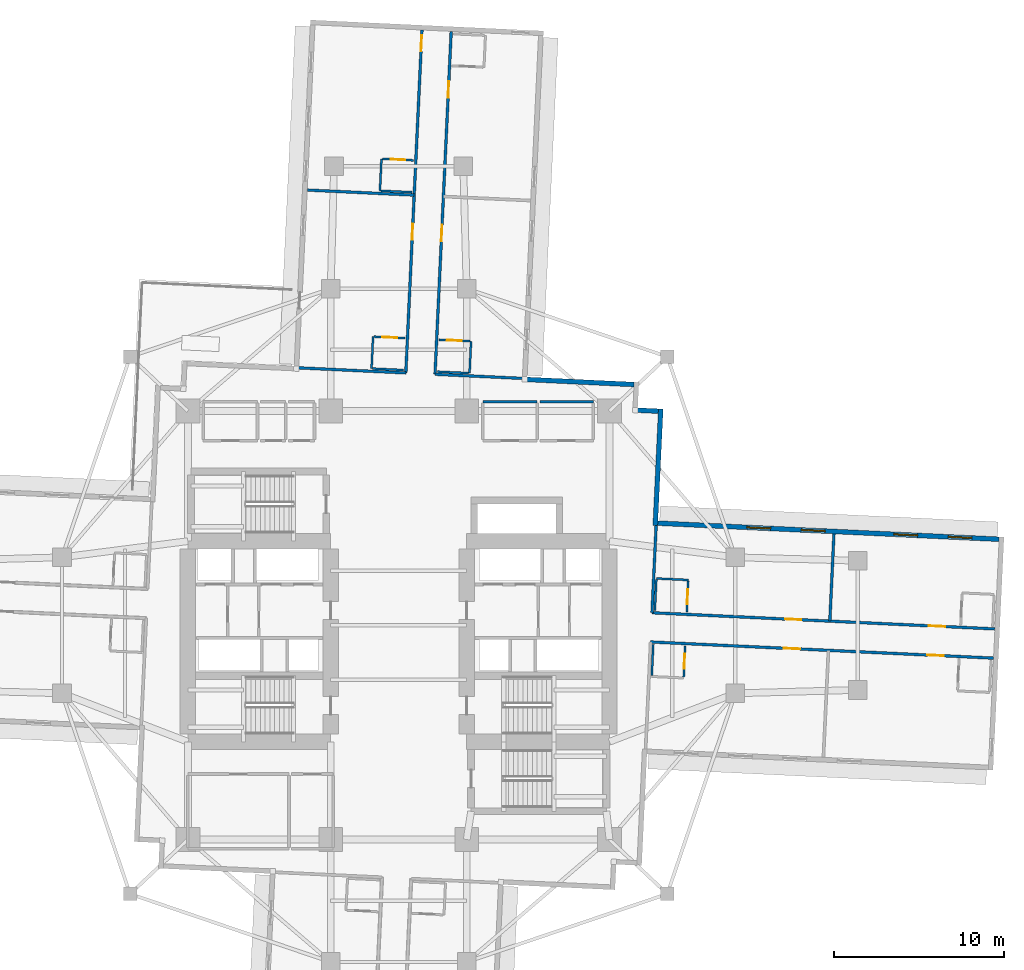
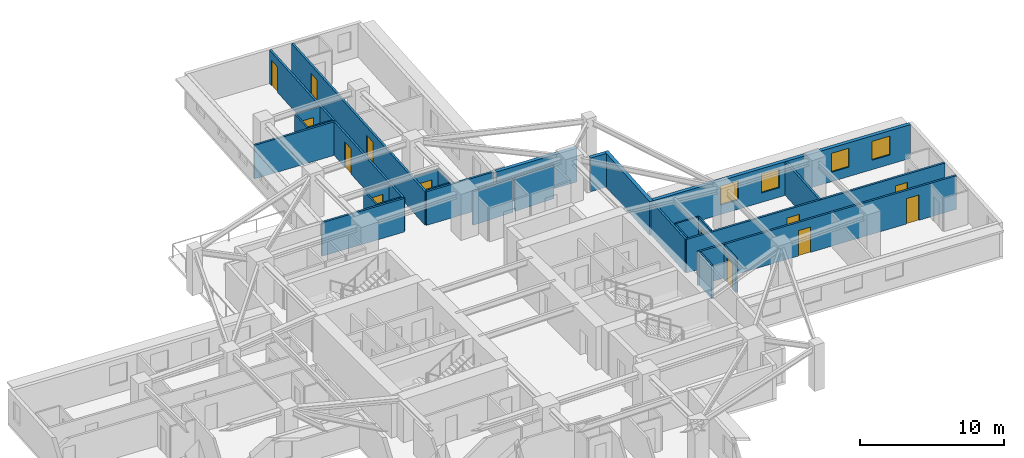
# One storey, part 7 of 13: 29 walls, 13 doors, 4 windows, 17 openings.
"""IFC4 building model written with IfcOpenShell, lengths in metres."""

from ifc_helpers import new_model, si_unit, direction, frame, frame_2d, origin, place, context, subcontext, project, spatial, rectangle, extrude, material, layer, layer_set, type_object, element, fill, save


model = new_model("IFC4")

# Units and contexts
model_context = context("Model", 3, precision=1e-05, world=origin(), true_north=direction((0.0, 1.0)))
body_context = subcontext(model_context, "Body", "Model", "MODEL_VIEW")
ifc_project = project(units=[si_unit("LENGTHUNIT", "METRE"), si_unit("AREAUNIT", "SQUARE_METRE"), si_unit("VOLUMEUNIT", "CUBIC_METRE"), si_unit("PLANEANGLEUNIT", "RADIAN"), si_unit("MASSUNIT", "GRAM", prefix="KILO")], contexts=[model_context])

# Site, building, storey
site_placement = place(None, origin())
site = spatial("IfcSite", under=ifc_project, at=site_placement, CompositionType="ELEMENT")
building_placement = place(site_placement, origin())
building = spatial("IfcBuilding", under=site, at=building_placement, Name="Qingluan Cross Belvedere", CompositionType="ELEMENT")
storey_placement = place(building_placement, frame((0.0, 0.0, 91.199951171875)))
storey = spatial("IfcBuildingStorey", under=building, at=storey_placement, Name="L23", CompositionType="ELEMENT", Elevation=91.199951171875)

# Walls
ifc_material_1 = material(Name="Gypsum plasterboard on steel stud acoustic partition", Category="steel")
ifc_layer_1 = layer(ifc_material_1, 0.159912109375, Name="CorridorPartition_160")
ifc_layer_set_1 = layer_set([ifc_layer_1], Name="Gypsum plasterboard on steel stud acoustic partition")
wall_type_1 = type_object("IfcWallType", Name="CorridorPartition_160", PredefinedType="PARTITIONING", material=ifc_layer_set_1)
wall_1_placement = place(storey_placement, frame((4.949951171875, 13.14990234375, 0.0), z_axis=(0.0, 0.0, 1.0), x_axis=(1.0, 0.0, 0.0)))
element("IfcWall", 1, at=wall_1_placement, inside=storey, type_object=wall_type_1, Name="Partition L23:q_ne1:N", PredefinedType="PARTITIONING", context=body_context, shape_type="SweptSolid", body=[
    extrude(rectangle(XDim=3.199951171875, YDim=0.159912109375, at=frame_2d((1.60009765625, 0.0))), origin(), (0.0, 0.0, 1.0), 2.85009765625),
])
wall_2_placement = place(storey_placement, frame((8.31005859375, 13.14990234375, 0.0), z_axis=(0.0, 0.0, 1.0), x_axis=(1.0, 0.0, 0.0)))
element("IfcWall", 2, at=wall_2_placement, inside=storey, type_object=wall_type_1, Name="Partition L23:q_ne2:N", PredefinedType="PARTITIONING", context=body_context, shape_type="SweptSolid", body=[
    extrude(rectangle(XDim=3.139892578125, YDim=0.159912109375, at=frame_2d((1.56982421875, 0.0))), origin(), (0.0, 0.0, 1.0), 2.85009765625),
])

# Wall, openings, doors
wall_3_placement = place(storey_placement, frame((14.9013671875, 0.739013671875, 0.0), z_axis=(0.0, 0.0, 1.0), x_axis=(0.998889330628, -0.047117991871, 0.0)))
wall_3 = element("IfcWall", 3, at=wall_3_placement, inside=storey, type_object=wall_type_1, Name="Partition L23:E:c0", PredefinedType="PARTITIONING", context=body_context, shape_type="SweptSolid", body=[
    extrude(rectangle(XDim=20.181884765625, YDim=0.159912109375, at=frame_2d((10.0908203125, 0.0))), origin(), (0.0, 0.0, 1.0), 2.85009765625),
])
opening_1_placement = place(wall_3_placement, frame((7.8359375, 0.0, 0.0)))
opening_1 = element("IfcOpeningElement", 4, at=opening_1_placement, cuts=wall_3, Name="Opening GD-10", PredefinedType="OPENING", context=body_context, shape_type="SweptSolid", body=[
    extrude(rectangle(XDim=0.9599609375, YDim=2.14990234375, at=frame_2d((0.47998046875, 1.074951171875))), frame((0.0, 0.08984375, 0.0), z_axis=(0.0, -1.0, 0.0), x_axis=(1.0, 0.0, 0.0)), (0.0, 0.0, 1.0), 0.179931640625),
])
opening_2_placement = place(wall_3_placement, frame((16.2958984375, 0.0, 0.0)))
opening_2 = element("IfcOpeningElement", 5, at=opening_2_placement, cuts=wall_3, Name="Opening GD-10", PredefinedType="OPENING", context=body_context, shape_type="SweptSolid", body=[
    extrude(rectangle(XDim=0.9599609375, YDim=2.14990234375, at=frame_2d((0.47998046875, 1.074951171875))), frame((0.0, 0.08984375, 0.0), z_axis=(0.0, -1.0, 0.0), x_axis=(1.0, 0.0, 0.0)), (0.0, 0.0, 1.0), 0.179931640625),
])
ifc_material_2 = material(Name="Timber oak fire-rated acoustic guestroom door", Category="wood")
door_type_1 = type_object("IfcDoorType", Name="GuestEntryDoor_FD60", OperationType="NOTDEFINED", PredefinedType="DOOR", material=ifc_material_2)
door_1_placement = place(opening_1_placement, origin())
door_1 = element("IfcDoor", 6, at=door_1_placement, inside=storey, type_object=door_type_1, Name="Guest entry fire door 2301", OperationType="SINGLE_SWING_LEFT", OverallHeight=2.14990234375, OverallWidth=0.9599609375, PredefinedType="DOOR", context=body_context, shape_type="SweptSolid", body=[
    extrude(rectangle(XDim=0.9599609375, YDim=2.14990234375, at=frame_2d((0.47998046875, 1.074951171875))), frame((0.0, 0.02490234375, 0.0), z_axis=(0.0, -1.0, 0.0), x_axis=(1.0, 0.0, 0.0)), (0.0, 0.0, 1.0), 0.050048828125),
])
fill(opening_1, door_1)
door_2_placement = place(opening_2_placement, origin())
door_2 = element("IfcDoor", 7, at=door_2_placement, inside=storey, type_object=door_type_1, Name="Guest entry fire door 2302", OperationType="SINGLE_SWING_LEFT", OverallHeight=2.14990234375, OverallWidth=0.9599609375, PredefinedType="DOOR", context=body_context, shape_type="SweptSolid", body=[
    extrude(rectangle(XDim=0.9599609375, YDim=2.14990234375, at=frame_2d((0.47998046875, 1.074951171875))), frame((0.0, 0.02490234375, 0.0), z_axis=(0.0, -1.0, 0.0), x_axis=(1.0, 0.0, 0.0)), (0.0, 0.0, 1.0), 0.050048828125),
])
fill(opening_2, door_2)

# Walls
wall_4_placement = place(storey_placement, frame((14.9013671875, 0.739013671875, 0.0), z_axis=(0.0, 0.0, 1.0), x_axis=(0.047097271264, 0.998890307811, 0.0)))
element("IfcWall", 8, at=wall_4_placement, inside=storey, type_object=wall_type_1, Name="Partition L23:E:s0", PredefinedType="PARTITIONING", context=body_context, shape_type="SweptSolid", body=[
    extrude(rectangle(XDim=5.1318359375, YDim=0.159912109375, at=frame_2d((2.56591796875, 0.0))), origin(), (0.0, 0.0, 1.0), 2.85009765625),
])
wall_5_placement = place(storey_placement, frame((25.359619140625, 0.24560546875, 0.0), z_axis=(0.0, 0.0, 1.0), x_axis=(0.047095033298, 0.998890413328, 0.0)))
element("IfcWall", 9, at=wall_5_placement, inside=storey, type_object=wall_type_1, Name="Partition L23:E:d0_0", PredefinedType="PARTITIONING", context=body_context, shape_type="SweptSolid", body=[
    extrude(rectangle(XDim=5.132080078125, YDim=0.159912109375, at=frame_2d((2.56591796875, 0.0))), origin(), (0.0, 0.0, 1.0), 2.85009765625),
])

# Wall, openings, doors
wall_6_placement = place(storey_placement, frame((14.8203125, -0.979248046875, 0.0), z_axis=(0.0, 0.0, 1.0), x_axis=(0.998889926753, -0.047105352469, 0.0)))
wall_6 = element("IfcWall", 10, at=wall_6_placement, inside=storey, type_object=wall_type_1, Name="Partition L23:E:c1", PredefinedType="PARTITIONING", context=body_context, shape_type="SweptSolid", body=[
    extrude(rectangle(XDim=20.18212890625, YDim=0.159912109375, at=frame_2d((10.091064453125, 0.0))), origin(), (0.0, 0.0, 1.0), 2.85009765625),
])
opening_3_placement = place(wall_6_placement, frame((7.8359375, 0.0, 0.0)))
opening_3 = element("IfcOpeningElement", 11, at=opening_3_placement, cuts=wall_6, Name="Opening GD-10", PredefinedType="OPENING", context=body_context, shape_type="SweptSolid", body=[
    extrude(rectangle(XDim=0.9599609375, YDim=2.14990234375, at=frame_2d((0.47998046875, 1.074951171875))), frame((0.0, 0.08984375, 0.0), z_axis=(0.0, -1.0, 0.0), x_axis=(1.0, 0.0, 0.0)), (0.0, 0.0, 1.0), 0.179931640625),
])
opening_4_placement = place(wall_6_placement, frame((16.2958984375, 0.0, 0.0)))
opening_4 = element("IfcOpeningElement", 12, at=opening_4_placement, cuts=wall_6, Name="Opening GD-10", PredefinedType="OPENING", context=body_context, shape_type="SweptSolid", body=[
    extrude(rectangle(XDim=0.9599609375, YDim=2.14990234375, at=frame_2d((0.47998046875, 1.074951171875))), frame((0.0, 0.08984375, 0.0), z_axis=(0.0, -1.0, 0.0), x_axis=(1.0, 0.0, 0.0)), (0.0, 0.0, 1.0), 0.179931640625),
])
door_3_placement = place(opening_3_placement, origin())
door_3 = element("IfcDoor", 13, at=door_3_placement, inside=storey, type_object=door_type_1, Name="Guest entry fire door 2303", OperationType="SINGLE_SWING_LEFT", OverallHeight=2.14990234375, OverallWidth=0.9599609375, PredefinedType="DOOR", context=body_context, shape_type="SweptSolid", body=[
    extrude(rectangle(XDim=0.9599609375, YDim=2.14990234375, at=frame_2d((0.47998046875, 1.074951171875))), frame((0.0, 0.02490234375, 0.0), z_axis=(0.0, -1.0, 0.0), x_axis=(1.0, 0.0, 0.0)), (0.0, 0.0, 1.0), 0.050048828125),
])
fill(opening_3, door_3)
door_4_placement = place(opening_4_placement, origin())
door_4 = element("IfcDoor", 14, at=door_4_placement, inside=storey, type_object=door_type_1, Name="Guest entry fire door 2304", OperationType="SINGLE_SWING_LEFT", OverallHeight=2.14990234375, OverallWidth=0.9599609375, PredefinedType="DOOR", context=body_context, shape_type="SweptSolid", body=[
    extrude(rectangle(XDim=0.9599609375, YDim=2.14990234375, at=frame_2d((0.47998046875, 1.074951171875))), frame((0.0, 0.02490234375, 0.0), z_axis=(0.0, -1.0, 0.0), x_axis=(1.0, 0.0, 0.0)), (0.0, 0.0, 1.0), 0.050048828125),
])
fill(opening_4, door_4)

wall_7_placement = place(storey_placement, frame((2.137939453125, 14.765625, 0.0), z_axis=(0.0, 0.0, 1.0), x_axis=(0.047105352469, 0.998889926753, 0.0)))
wall_7 = element("IfcWall", 15, at=wall_7_placement, inside=storey, type_object=wall_type_1, Name="Partition L23:N:c0", PredefinedType="PARTITIONING", context=body_context, shape_type="SweptSolid", body=[
    extrude(rectangle(XDim=20.18212890625, YDim=0.159912109375, at=frame_2d((10.091064453125, 0.0))), origin(), (0.0, 0.0, 1.0), 2.85009765625),
])
opening_5_placement = place(wall_7_placement, frame((7.8359375, 0.0, 0.0)))
opening_5 = element("IfcOpeningElement", 16, at=opening_5_placement, cuts=wall_7, Name="Opening GD-10", PredefinedType="OPENING", context=body_context, shape_type="SweptSolid", body=[
    extrude(rectangle(XDim=0.9599609375, YDim=2.14990234375, at=frame_2d((0.47998046875, 1.074951171875))), frame((0.0, 0.08984375, 0.0), z_axis=(0.0, -1.0, 0.0), x_axis=(1.0, 0.0, 0.0)), (0.0, 0.0, 1.0), 0.179931640625),
])
opening_6_placement = place(wall_7_placement, frame((16.2958984375, 0.0, 0.0)))
opening_6 = element("IfcOpeningElement", 17, at=opening_6_placement, cuts=wall_7, Name="Opening GD-10", PredefinedType="OPENING", context=body_context, shape_type="SweptSolid", body=[
    extrude(rectangle(XDim=0.9599609375, YDim=2.14990234375, at=frame_2d((0.47998046875, 1.074951171875))), frame((0.0, 0.08984375, 0.0), z_axis=(0.0, -1.0, 0.0), x_axis=(1.0, 0.0, 0.0)), (0.0, 0.0, 1.0), 0.179931640625),
])
door_5_placement = place(opening_5_placement, origin())
door_5 = element("IfcDoor", 18, at=door_5_placement, inside=storey, type_object=door_type_1, Name="Guest entry fire door 2309", OperationType="SINGLE_SWING_LEFT", OverallHeight=2.14990234375, OverallWidth=0.9599609375, PredefinedType="DOOR", context=body_context, shape_type="SweptSolid", body=[
    extrude(rectangle(XDim=0.9599609375, YDim=2.14990234375, at=frame_2d((0.47998046875, 1.074951171875))), frame((0.0, 0.02490234375, 0.0), z_axis=(0.0, -1.0, 0.0), x_axis=(1.0, 0.0, 0.0)), (0.0, 0.0, 1.0), 0.050048828125),
])
fill(opening_5, door_5)
door_6_placement = place(opening_6_placement, origin())
door_6 = element("IfcDoor", 19, at=door_6_placement, inside=storey, type_object=door_type_1, Name="Guest entry fire door 2310", OperationType="SINGLE_SWING_LEFT", OverallHeight=2.14990234375, OverallWidth=0.9599609375, PredefinedType="DOOR", context=body_context, shape_type="SweptSolid", body=[
    extrude(rectangle(XDim=0.9599609375, YDim=2.14990234375, at=frame_2d((0.47998046875, 1.074951171875))), frame((0.0, 0.02490234375, 0.0), z_axis=(0.0, -1.0, 0.0), x_axis=(1.0, 0.0, 0.0)), (0.0, 0.0, 1.0), 0.050048828125),
])
fill(opening_6, door_6)

# Wall
wall_8_placement = place(storey_placement, frame((2.137939453125, 14.765625, 0.0), z_axis=(0.0, 0.0, 1.0), x_axis=(0.998891553151, -0.047070851322, 0.0)))
element("IfcWall", 20, at=wall_8_placement, inside=storey, type_object=wall_type_1, Name="Partition L23:N:s0", PredefinedType="PARTITIONING", context=body_context, shape_type="SweptSolid", body=[
    extrude(rectangle(XDim=5.280029296875, YDim=0.159912109375, at=frame_2d((2.64013671875, 0.0))), origin(), (0.0, 0.0, 1.0), 2.85009765625),
])

# Wall, openings, doors
wall_9_placement = place(storey_placement, frame((0.419921875, 14.8466796875, 0.0), z_axis=(0.0, 0.0, 1.0), x_axis=(0.047105352469, 0.998889926753, 0.0)))
wall_9 = element("IfcWall", 21, at=wall_9_placement, inside=storey, type_object=wall_type_1, Name="Partition L23:N:c1", PredefinedType="PARTITIONING", context=body_context, shape_type="SweptSolid", body=[
    extrude(rectangle(XDim=20.18212890625, YDim=0.159912109375, at=frame_2d((10.091064453125, 0.0))), origin(), (0.0, 0.0, 1.0), 2.85009765625),
])
opening_7_placement = place(wall_9_placement, frame((7.8359375, 0.0, 0.0)))
opening_7 = element("IfcOpeningElement", 22, at=opening_7_placement, cuts=wall_9, Name="Opening GD-10", PredefinedType="OPENING", context=body_context, shape_type="SweptSolid", body=[
    extrude(rectangle(XDim=0.9599609375, YDim=2.14990234375, at=frame_2d((0.47998046875, 1.074951171875))), frame((0.0, 0.08984375, 0.0), z_axis=(0.0, -1.0, 0.0), x_axis=(1.0, 0.0, 0.0)), (0.0, 0.0, 1.0), 0.179931640625),
])
opening_8_placement = place(wall_9_placement, frame((18.929931640625, 0.0, 0.0)))
opening_8 = element("IfcOpeningElement", 23, at=opening_8_placement, cuts=wall_9, Name="Opening GD-10", PredefinedType="OPENING", context=body_context, shape_type="SweptSolid", body=[
    extrude(rectangle(XDim=0.9599609375, YDim=2.14990234375, at=frame_2d((0.47998046875, 1.074951171875))), frame((0.0, 0.08984375, 0.0), z_axis=(0.0, -1.0, 0.0), x_axis=(1.0, 0.0, 0.0)), (0.0, 0.0, 1.0), 0.179931640625),
])
door_7_placement = place(opening_7_placement, origin())
door_7 = element("IfcDoor", 24, at=door_7_placement, inside=storey, type_object=door_type_1, Name="Guest entry fire door 2311", OperationType="SINGLE_SWING_LEFT", OverallHeight=2.14990234375, OverallWidth=0.9599609375, PredefinedType="DOOR", context=body_context, shape_type="SweptSolid", body=[
    extrude(rectangle(XDim=0.9599609375, YDim=2.14990234375, at=frame_2d((0.47998046875, 1.074951171875))), frame((0.0, 0.02490234375, 0.0), z_axis=(0.0, -1.0, 0.0), x_axis=(1.0, 0.0, 0.0)), (0.0, 0.0, 1.0), 0.050048828125),
])
fill(opening_7, door_7)
door_8_placement = place(opening_8_placement, origin())
door_8 = element("IfcDoor", 25, at=door_8_placement, inside=storey, type_object=door_type_1, Name="Guest entry fire door 2312", OperationType="SINGLE_SWING_LEFT", OverallHeight=2.14990234375, OverallWidth=0.9599609375, PredefinedType="DOOR", context=body_context, shape_type="SweptSolid", body=[
    extrude(rectangle(XDim=0.9599609375, YDim=2.14990234375, at=frame_2d((0.47998046875, 1.074951171875))), frame((0.0, 0.02490234375, 0.0), z_axis=(0.0, -1.0, 0.0), x_axis=(1.0, 0.0, 0.0)), (0.0, 0.0, 1.0), 0.050048828125),
])
fill(opening_8, door_8)

# Walls
wall_10_placement = place(storey_placement, frame((0.419921875, 14.8466796875, 0.0), z_axis=(0.0, 0.0, 1.0), x_axis=(-0.998889138652, 0.047122061533, 0.0)))
element("IfcWall", 26, at=wall_10_placement, inside=storey, type_object=wall_type_1, Name="Partition L23:N:s1", PredefinedType="PARTITIONING", context=body_context, shape_type="SweptSolid", body=[
    extrude(rectangle(XDim=6.43994140625, YDim=0.159912109375, at=frame_2d((3.219970703125, 0.0))), origin(), (0.0, 0.0, 1.0), 2.85009765625),
])
wall_11_placement = place(storey_placement, frame((0.9130859375, 25.30517578125, 0.0), z_axis=(0.0, 0.0, 1.0), x_axis=(-0.998891802517, 0.047065559216, 0.0)))
element("IfcWall", 27, at=wall_11_placement, inside=storey, type_object=wall_type_1, Name="Partition L23:N:d1_0", PredefinedType="PARTITIONING", context=body_context, shape_type="SweptSolid", body=[
    extrude(rectangle(XDim=6.292236328125, YDim=0.159912109375, at=frame_2d((3.14599609375, 0.0))), origin(), (0.0, 0.0, 1.0), 2.85009765625),
])

# Wall, opening, door
ifc_material_3 = material(Name="Moisture-resistant gypsum board lining")
ifc_layer_2 = layer(ifc_material_3, 0.1201171875, Name="EnsuiteWetPartition_120")
ifc_layer_set_2 = layer_set([ifc_layer_2], Name="Moisture-resistant gypsum board lining")
wall_type_2 = type_object("IfcWallType", Name="EnsuiteWetPartition_120", PredefinedType="PARTITIONING", material=ifc_layer_set_2)
wall_12_placement = place(storey_placement, frame((16.94580078125, 0.78271484375, 0.0), z_axis=(0.0, 0.0, 1.0), x_axis=(0.047087116047, 0.998890786574, 0.0)))
wall_12 = element("IfcWall", 28, at=wall_12_placement, inside=storey, type_object=wall_type_2, Name="Partition L23:E:bs0_0", PredefinedType="PARTITIONING", context=body_context, shape_type="SweptSolid", body=[
    extrude(rectangle(XDim=1.81982421875, YDim=0.1201171875, at=frame_2d((0.909912109375, 0.0))), origin(), (0.0, 0.0, 1.0), 2.85009765625),
])
opening_9_placement = place(wall_12_placement, frame((0.469970703125, 0.0, 0.0)))
opening_9 = element("IfcOpeningElement", 29, at=opening_9_placement, cuts=wall_12, Name="Opening BD-09", PredefinedType="OPENING", context=body_context, shape_type="SweptSolid", body=[
    extrude(rectangle(XDim=0.8798828125, YDim=2.10009765625, at=frame_2d((0.43994140625, 1.050048828125))), frame((0.0, 0.070068359375, 0.0), z_axis=(0.0, -1.0, 0.0), x_axis=(1.0, 0.0, 0.0)), (0.0, 0.0, 1.0), 0.14013671875),
])
ifc_material_4 = material(Name="Moisture-sealed timber en-suite door", Category="wood")
door_type_2 = type_object("IfcDoorType", Name="BathroomDoor_880", OperationType="NOTDEFINED", PredefinedType="DOOR", material=ifc_material_4)
door_9_placement = place(opening_9_placement, origin())
door_9 = element("IfcDoor", 30, at=door_9_placement, inside=storey, type_object=door_type_2, Name="Bathroom door 2301", OperationType="SINGLE_SWING_RIGHT", OverallHeight=2.10009765625, OverallWidth=0.8798828125, PredefinedType="DOOR", context=body_context, shape_type="SweptSolid", body=[
    extrude(rectangle(XDim=0.8798828125, YDim=2.10009765625, at=frame_2d((0.43994140625, 1.050048828125))), frame((0.0, 0.02490234375, 0.0), z_axis=(0.0, -1.0, 0.0), x_axis=(1.0, 0.0, 0.0)), (0.0, 0.0, 1.0), 0.050048828125),
])
fill(opening_9, door_9)

# Walls
wall_13_placement = place(storey_placement, frame((15.06787109375, 0.87109375, 0.0), z_axis=(0.0, 0.0, 1.0), x_axis=(0.047080807099, 0.998891083954, 0.0)))
element("IfcWall", 31, at=wall_13_placement, inside=storey, type_object=wall_type_2, Name="Partition L23:E:bw0_0", PredefinedType="PARTITIONING", context=body_context, shape_type="SweptSolid", body=[
    extrude(rectangle(XDim=1.820068359375, YDim=0.1201171875, at=frame_2d((0.91015625, 0.0))), origin(), (0.0, 0.0, 1.0), 2.85009765625),
])
wall_14_placement = place(storey_placement, frame((15.156494140625, 2.754150390625, 0.0), z_axis=(0.0, 0.0, 1.0), x_axis=(0.998888319371, -0.047139425368, 0.0)))
element("IfcWall", 32, at=wall_14_placement, inside=storey, type_object=wall_type_2, Name="Partition L23:E:bn0_0", PredefinedType="PARTITIONING", context=body_context, shape_type="SweptSolid", body=[
    extrude(rectangle(XDim=1.880126953125, YDim=0.1201171875, at=frame_2d((0.93994140625, 0.0))), origin(), (0.0, 0.0, 1.0), 2.85009765625),
])

# Wall, opening, door
wall_15_placement = place(storey_placement, frame((16.765625, -3.033203125, 0.0), z_axis=(0.0, 0.0, 1.0), x_axis=(0.047214641863, 0.998884766924, 0.0)))
wall_15 = element("IfcWall", 33, at=wall_15_placement, inside=storey, type_object=wall_type_2, Name="Partition L23:E:bs1_0", PredefinedType="PARTITIONING", context=body_context, shape_type="SweptSolid", body=[
    extrude(rectangle(XDim=1.820068359375, YDim=0.1201171875, at=frame_2d((0.91015625, 0.0))), origin(), (0.0, 0.0, 1.0), 2.85009765625),
])
opening_10_placement = place(wall_15_placement, frame((0.469970703125, 0.0, 0.0)))
opening_10 = element("IfcOpeningElement", 34, at=opening_10_placement, cuts=wall_15, Name="Opening BD-09", PredefinedType="OPENING", context=body_context, shape_type="SweptSolid", body=[
    extrude(rectangle(XDim=0.8798828125, YDim=2.10009765625, at=frame_2d((0.43994140625, 1.050048828125))), frame((0.0, 0.070068359375, 0.0), z_axis=(0.0, -1.0, 0.0), x_axis=(1.0, 0.0, 0.0)), (0.0, 0.0, 1.0), 0.14013671875),
])
door_10_placement = place(opening_10_placement, origin())
door_10 = element("IfcDoor", 35, at=door_10_placement, inside=storey, type_object=door_type_2, Name="Bathroom door 2303", OperationType="SINGLE_SWING_RIGHT", OverallHeight=2.10009765625, OverallWidth=0.8798828125, PredefinedType="DOOR", context=body_context, shape_type="SweptSolid", body=[
    extrude(rectangle(XDim=0.8798828125, YDim=2.10009765625, at=frame_2d((0.43994140625, 1.050048828125))), frame((0.0, 0.02490234375, 0.0), z_axis=(0.0, -1.0, 0.0), x_axis=(1.0, 0.0, 0.0)), (0.0, 0.0, 1.0), 0.050048828125),
])
fill(opening_10, door_10)

# Wall
wall_16_placement = place(storey_placement, frame((14.8876953125, -2.944580078125, 0.0), z_axis=(0.0, 0.0, 1.0), x_axis=(0.047220968666, 0.998884467853, 0.0)))
element("IfcWall", 36, at=wall_16_placement, inside=storey, type_object=wall_type_2, Name="Partition L23:E:bw1_0", PredefinedType="PARTITIONING", context=body_context, shape_type="SweptSolid", body=[
    extrude(rectangle(XDim=1.81982421875, YDim=0.1201171875, at=frame_2d((0.909912109375, 0.0))), origin(), (0.0, 0.0, 1.0), 2.85009765625),
])

# Wall, opening, door
wall_17_placement = place(storey_placement, frame((2.373779296875, 16.796875, 0.0), z_axis=(0.0, 0.0, 1.0), x_axis=(0.998891083954, -0.047080807099, 0.0)))
wall_17 = element("IfcWall", 37, at=wall_17_placement, inside=storey, type_object=wall_type_2, Name="Partition L23:N:bs0_0", PredefinedType="PARTITIONING", context=body_context, shape_type="SweptSolid", body=[
    extrude(rectangle(XDim=1.820068359375, YDim=0.1201171875, at=frame_2d((0.91015625, 0.0))), origin(), (0.0, 0.0, 1.0), 2.85009765625),
])
opening_11_placement = place(wall_17_placement, frame((0.469970703125, 0.0, 0.0)))
opening_11 = element("IfcOpeningElement", 38, at=opening_11_placement, cuts=wall_17, Name="Opening BD-09", PredefinedType="OPENING", context=body_context, shape_type="SweptSolid", body=[
    extrude(rectangle(XDim=0.8798828125, YDim=2.10009765625, at=frame_2d((0.43994140625, 1.050048828125))), frame((0.0, 0.070068359375, 0.0), z_axis=(0.0, -1.0, 0.0), x_axis=(1.0, 0.0, 0.0)), (0.0, 0.0, 1.0), 0.14013671875),
])
door_11_placement = place(opening_11_placement, origin())
door_11 = element("IfcDoor", 39, at=door_11_placement, inside=storey, type_object=door_type_2, Name="Bathroom door 2309", OperationType="SINGLE_SWING_RIGHT", OverallHeight=2.10009765625, OverallWidth=0.8798828125, PredefinedType="DOOR", context=body_context, shape_type="SweptSolid", body=[
    extrude(rectangle(XDim=0.8798828125, YDim=2.10009765625, at=frame_2d((0.43994140625, 1.050048828125))), frame((0.0, 0.02490234375, 0.0), z_axis=(0.0, -1.0, 0.0), x_axis=(1.0, 0.0, 0.0)), (0.0, 0.0, 1.0), 0.050048828125),
])
fill(opening_11, door_11)

# Walls
wall_18_placement = place(storey_placement, frame((2.285400390625, 14.9189453125, 0.0), z_axis=(0.0, 0.0, 1.0), x_axis=(0.998890786574, -0.047087116047, 0.0)))
element("IfcWall", 40, at=wall_18_placement, inside=storey, type_object=wall_type_2, Name="Partition L23:N:bw0_0", PredefinedType="PARTITIONING", context=body_context, shape_type="SweptSolid", body=[
    extrude(rectangle(XDim=1.81982421875, YDim=0.1201171875, at=frame_2d((0.909912109375, 0.0))), origin(), (0.0, 0.0, 1.0), 2.85009765625),
])
wall_19_placement = place(storey_placement, frame((4.168212890625, 14.830078125, 0.0), z_axis=(0.0, 0.0, 1.0), x_axis=(0.047139425368, 0.998888319371, 0.0)))
element("IfcWall", 41, at=wall_19_placement, inside=storey, type_object=wall_type_2, Name="Partition L23:N:bn0_0", PredefinedType="PARTITIONING", context=body_context, shape_type="SweptSolid", body=[
    extrude(rectangle(XDim=1.880126953125, YDim=0.1201171875, at=frame_2d((0.93994140625, 0.0))), origin(), (0.0, 0.0, 1.0), 2.85009765625),
])

# Wall, opening, door
wall_20_placement = place(storey_placement, frame((-1.44189453125, 16.976806640625, 0.0), z_axis=(0.0, 0.0, 1.0), x_axis=(0.998891083954, -0.047080807099, 0.0)))
wall_20 = element("IfcWall", 42, at=wall_20_placement, inside=storey, type_object=wall_type_2, Name="Partition L23:N:bs1_0", PredefinedType="PARTITIONING", context=body_context, shape_type="SweptSolid", body=[
    extrude(rectangle(XDim=1.820068359375, YDim=0.1201171875, at=frame_2d((0.91015625, 0.0))), origin(), (0.0, 0.0, 1.0), 2.85009765625),
])
opening_12_placement = place(wall_20_placement, frame((0.469970703125, 0.0, 0.0)))
opening_12 = element("IfcOpeningElement", 43, at=opening_12_placement, cuts=wall_20, Name="Opening BD-09", PredefinedType="OPENING", context=body_context, shape_type="SweptSolid", body=[
    extrude(rectangle(XDim=0.8798828125, YDim=2.10009765625, at=frame_2d((0.43994140625, 1.050048828125))), frame((0.0, 0.070068359375, 0.0), z_axis=(0.0, -1.0, 0.0), x_axis=(1.0, 0.0, 0.0)), (0.0, 0.0, 1.0), 0.14013671875),
])
door_12_placement = place(opening_12_placement, origin())
door_12 = element("IfcDoor", 44, at=door_12_placement, inside=storey, type_object=door_type_2, Name="Bathroom door 2311", OperationType="SINGLE_SWING_RIGHT", OverallHeight=2.10009765625, OverallWidth=0.8798828125, PredefinedType="DOOR", context=body_context, shape_type="SweptSolid", body=[
    extrude(rectangle(XDim=0.8798828125, YDim=2.10009765625, at=frame_2d((0.43994140625, 1.050048828125))), frame((0.0, 0.02490234375, 0.0), z_axis=(0.0, -1.0, 0.0), x_axis=(1.0, 0.0, 0.0)), (0.0, 0.0, 1.0), 0.050048828125),
])
fill(opening_12, door_12)

# Walls
wall_21_placement = place(storey_placement, frame((-1.530517578125, 15.098876953125, 0.0), z_axis=(0.0, 0.0, 1.0), x_axis=(0.998891083954, -0.047080807099, 0.0)))
element("IfcWall", 45, at=wall_21_placement, inside=storey, type_object=wall_type_2, Name="Partition L23:N:bw1_0", PredefinedType="PARTITIONING", context=body_context, shape_type="SweptSolid", body=[
    extrude(rectangle(XDim=1.820068359375, YDim=0.1201171875, at=frame_2d((0.91015625, 0.0))), origin(), (0.0, 0.0, 1.0), 2.85009765625),
])
wall_22_placement = place(storey_placement, frame((-1.595458984375, 15.101806640625, 0.0), z_axis=(0.0, 0.0, 1.0), x_axis=(0.047139425368, 0.998888319371, 0.0)))
element("IfcWall", 46, at=wall_22_placement, inside=storey, type_object=wall_type_2, Name="Partition L23:N:bc1_0", PredefinedType="PARTITIONING", context=body_context, shape_type="SweptSolid", body=[
    extrude(rectangle(XDim=1.880126953125, YDim=0.1201171875, at=frame_2d((0.93994140625, 0.0))), origin(), (0.0, 0.0, 1.0), 2.85009765625),
])

# Wall, opening, door
wall_23_placement = place(storey_placement, frame((-0.94873046875, 27.43505859375, 0.0), z_axis=(0.0, 0.0, 1.0), x_axis=(0.998891083954, -0.047080807099, 0.0)))
wall_23 = element("IfcWall", 47, at=wall_23_placement, inside=storey, type_object=wall_type_2, Name="Partition L23:N:bs1_1", PredefinedType="PARTITIONING", context=body_context, shape_type="SweptSolid", body=[
    extrude(rectangle(XDim=1.820068359375, YDim=0.1201171875, at=frame_2d((0.91015625, 0.0))), origin(), (0.0, 0.0, 1.0), 2.85009765625),
])
opening_13_placement = place(wall_23_placement, frame((0.469970703125, 0.0, 0.0)))
opening_13 = element("IfcOpeningElement", 48, at=opening_13_placement, cuts=wall_23, Name="Opening BD-09", PredefinedType="OPENING", context=body_context, shape_type="SweptSolid", body=[
    extrude(rectangle(XDim=0.8798828125, YDim=2.10009765625, at=frame_2d((0.43994140625, 1.050048828125))), frame((0.0, 0.070068359375, 0.0), z_axis=(0.0, -1.0, 0.0), x_axis=(1.0, 0.0, 0.0)), (0.0, 0.0, 1.0), 0.14013671875),
])
door_13_placement = place(opening_13_placement, origin())
door_13 = element("IfcDoor", 49, at=door_13_placement, inside=storey, type_object=door_type_2, Name="Bathroom door 2312", OperationType="SINGLE_SWING_RIGHT", OverallHeight=2.10009765625, OverallWidth=0.8798828125, PredefinedType="DOOR", context=body_context, shape_type="SweptSolid", body=[
    extrude(rectangle(XDim=0.8798828125, YDim=2.10009765625, at=frame_2d((0.43994140625, 1.050048828125))), frame((0.0, 0.02490234375, 0.0), z_axis=(0.0, -1.0, 0.0), x_axis=(1.0, 0.0, 0.0)), (0.0, 0.0, 1.0), 0.050048828125),
])
fill(opening_13, door_13)

# Walls
wall_24_placement = place(storey_placement, frame((-1.037109375, 25.55712890625, 0.0), z_axis=(0.0, 0.0, 1.0), x_axis=(0.998890786574, -0.047087116047, 0.0)))
element("IfcWall", 50, at=wall_24_placement, inside=storey, type_object=wall_type_2, Name="Partition L23:N:bw1_1", PredefinedType="PARTITIONING", context=body_context, shape_type="SweptSolid", body=[
    extrude(rectangle(XDim=1.81982421875, YDim=0.1201171875, at=frame_2d((0.909912109375, 0.0))), origin(), (0.0, 0.0, 1.0), 2.85009765625),
])
wall_25_placement = place(storey_placement, frame((-1.102294921875, 25.560302734375, 0.0), z_axis=(0.0, 0.0, 1.0), x_axis=(0.047139425368, 0.998888319371, 0.0)))
element("IfcWall", 51, at=wall_25_placement, inside=storey, type_object=wall_type_2, Name="Partition L23:N:bc1_1", PredefinedType="PARTITIONING", context=body_context, shape_type="SweptSolid", body=[
    extrude(rectangle(XDim=1.880126953125, YDim=0.1201171875, at=frame_2d((0.93994140625, 0.0))), origin(), (0.0, 0.0, 1.0), 2.85009765625),
])

# Wall, openings, windows
ifc_material_5 = material(Name="Precast concrete C45", Category="concrete")
ifc_layer_3 = layer(ifc_material_5, 0.280029296875, Name="PrecastFacadeWall_280")
ifc_layer_set_3 = layer_set([ifc_layer_3], Name="Precast concrete C45")
wall_type_3 = type_object("IfcWallType", Name="PrecastFacadeWall_280", PredefinedType="STANDARD", material=ifc_layer_set_3)
wall_26_placement = place(storey_placement, frame((35.317626953125, 5.06201171875, 0.0), z_axis=(0.0, 0.0, 1.0), x_axis=(-0.998890015344, 0.047103473814, 0.0)))
wall_26 = element("IfcWall", 52, at=wall_26_placement, inside=storey, type_object=wall_type_3, Name="Facade wall L23-EB", PredefinedType="STANDARD", context=body_context, shape_type="SweptSolid", body=[
    extrude(rectangle(XDim=20.099853515625, YDim=0.280029296875, at=frame_2d((10.0498046875, 0.0))), origin(), (0.0, 0.0, 1.0), 2.860107421875),
])
opening_14_placement = place(wall_26_placement, frame((1.60009765625, 0.0, 0.800048828125)))
opening_14 = element("IfcOpeningElement", 53, at=opening_14_placement, cuts=wall_26, Name="Opening W-01", PredefinedType="OPENING", context=body_context, shape_type="SweptSolid", body=[
    extrude(rectangle(XDim=1.39990234375, YDim=1.60009765625, at=frame_2d((0.699951171875, 0.800048828125))), frame((0.0, 0.14990234375, 0.0), z_axis=(0.0, -1.0, 0.0), x_axis=(1.0, 0.0, 0.0)), (0.0, 0.0, 1.0), 0.300048828125),
])
opening_15_placement = place(wall_26_placement, frame((4.800048828125, 0.0, 0.800048828125)))
opening_15 = element("IfcOpeningElement", 54, at=opening_15_placement, cuts=wall_26, Name="Opening W-01", PredefinedType="OPENING", context=body_context, shape_type="SweptSolid", body=[
    extrude(rectangle(XDim=1.39990234375, YDim=1.60009765625, at=frame_2d((0.699951171875, 0.800048828125))), frame((0.0, 0.14990234375, 0.0), z_axis=(0.0, -1.0, 0.0), x_axis=(1.0, 0.0, 0.0)), (0.0, 0.0, 1.0), 0.300048828125),
])
opening_16_placement = place(wall_26_placement, frame((10.25, 0.0, 0.800048828125)))
opening_16 = element("IfcOpeningElement", 55, at=opening_16_placement, cuts=wall_26, Name="Opening W-01", PredefinedType="OPENING", context=body_context, shape_type="SweptSolid", body=[
    extrude(rectangle(XDim=1.39990234375, YDim=1.60009765625, at=frame_2d((0.699951171875, 0.800048828125))), frame((0.0, 0.14990234375, 0.0), z_axis=(0.0, -1.0, 0.0), x_axis=(1.0, 0.0, 0.0)), (0.0, 0.0, 1.0), 0.300048828125),
])
opening_17_placement = place(wall_26_placement, frame((13.449951171875, 0.0, 0.800048828125)))
opening_17 = element("IfcOpeningElement", 56, at=opening_17_placement, cuts=wall_26, Name="Opening W-01", PredefinedType="OPENING", context=body_context, shape_type="SweptSolid", body=[
    extrude(rectangle(XDim=1.39990234375, YDim=1.60009765625, at=frame_2d((0.699951171875, 0.800048828125))), frame((0.0, 0.14990234375, 0.0), z_axis=(0.0, -1.0, 0.0), x_axis=(1.0, 0.0, 0.0)), (0.0, 0.0, 1.0), 0.300048828125),
])
ifc_material_6 = material(Name="Thermally broken triple Low-E glass in aluminium frame", Category="aluminium")
window_type = type_object("IfcWindowType", Name="TriRibbonWin_1400x1600", PartitioningType="SINGLE_PANEL", PredefinedType="WINDOW", material=ifc_material_6)
window_1_placement = place(opening_14_placement, origin())
window_1 = element("IfcWindow", 57, at=window_1_placement, inside=storey, type_object=window_type, Name="Ribbon window L23-EB-1", OverallHeight=1.60009765625, OverallWidth=1.39990234375, PartitioningType="SINGLE_PANEL", PredefinedType="WINDOW", context=body_context, shape_type="SweptSolid", body=[
    extrude(rectangle(XDim=1.39990234375, YDim=1.60009765625, at=frame_2d((0.699951171875, 0.800048828125))), frame((0.0, 0.030029296875, 0.0), z_axis=(0.0, -1.0, 0.0), x_axis=(1.0, 0.0, 0.0)), (0.0, 0.0, 1.0), 0.06005859375),
])
fill(opening_14, window_1)
window_2_placement = place(opening_15_placement, origin())
window_2 = element("IfcWindow", 58, at=window_2_placement, inside=storey, type_object=window_type, Name="Ribbon window L23-EB-2", OverallHeight=1.60009765625, OverallWidth=1.39990234375, PartitioningType="SINGLE_PANEL", PredefinedType="WINDOW", context=body_context, shape_type="SweptSolid", body=[
    extrude(rectangle(XDim=1.39990234375, YDim=1.60009765625, at=frame_2d((0.699951171875, 0.800048828125))), frame((0.0, 0.030029296875, 0.0), z_axis=(0.0, -1.0, 0.0), x_axis=(1.0, 0.0, 0.0)), (0.0, 0.0, 1.0), 0.06005859375),
])
fill(opening_15, window_2)
window_3_placement = place(opening_16_placement, origin())
window_3 = element("IfcWindow", 59, at=window_3_placement, inside=storey, type_object=window_type, Name="Ribbon window L23-EB-3", OverallHeight=1.60009765625, OverallWidth=1.39990234375, PartitioningType="SINGLE_PANEL", PredefinedType="WINDOW", context=body_context, shape_type="SweptSolid", body=[
    extrude(rectangle(XDim=1.39990234375, YDim=1.60009765625, at=frame_2d((0.699951171875, 0.800048828125))), frame((0.0, 0.030029296875, 0.0), z_axis=(0.0, -1.0, 0.0), x_axis=(1.0, 0.0, 0.0)), (0.0, 0.0, 1.0), 0.06005859375),
])
fill(opening_16, window_3)
window_4_placement = place(opening_17_placement, origin())
window_4 = element("IfcWindow", 60, at=window_4_placement, inside=storey, type_object=window_type, Name="Ribbon window L23-EB-4", OverallHeight=1.60009765625, OverallWidth=1.39990234375, PartitioningType="SINGLE_PANEL", PredefinedType="WINDOW", context=body_context, shape_type="SweptSolid", body=[
    extrude(rectangle(XDim=1.39990234375, YDim=1.60009765625, at=frame_2d((0.699951171875, 0.800048828125))), frame((0.0, 0.030029296875, 0.0), z_axis=(0.0, -1.0, 0.0), x_axis=(1.0, 0.0, 0.0)), (0.0, 0.0, 1.0), 0.06005859375),
])
fill(opening_17, window_4)

# Walls
wall_27_placement = place(storey_placement, frame((15.093505859375, 5.87548828125, 0.0), z_axis=(0.0, 0.0, 1.0), x_axis=(0.04712043756, 0.998889215261, 0.0)))
element("IfcWall", 61, at=wall_27_placement, inside=storey, type_object=wall_type_3, Name="Corner wall L23-NE1", PredefinedType="STANDARD", context=body_context, shape_type="SweptSolid", body=[
    extrude(rectangle(XDim=6.85986328125, YDim=0.280029296875, at=frame_2d((3.429931640625, 0.0))), origin(), (0.0, 0.0, 1.0), 2.860107421875),
])
wall_28_placement = place(storey_placement, frame((15.270263671875, 12.5947265625, 0.0), z_axis=(0.0, 0.0, 1.0), x_axis=(-0.998893795343, 0.047023245574, 0.0)))
element("IfcWall", 62, at=wall_28_placement, inside=storey, type_object=wall_type_3, Name="Corner wall L23-NE2", PredefinedType="STANDARD", context=body_context, shape_type="SweptSolid", body=[
    extrude(rectangle(XDim=1.22021484375, YDim=0.280029296875, at=frame_2d((0.610107421875, 0.0))), origin(), (0.0, 0.0, 1.0), 2.860107421875),
])
wall_29_placement = place(storey_placement, frame((13.842529296875, 14.16357421875, 0.0), z_axis=(0.0, 0.0, 1.0), x_axis=(-0.998889082162, 0.047123258997, 0.0)))
element("IfcWall", 63, at=wall_29_placement, inside=storey, type_object=wall_type_3, Name="Corner wall L23-NE4", PredefinedType="STANDARD", context=body_context, shape_type="SweptSolid", body=[
    extrude(rectangle(XDim=6.300048828125, YDim=0.280029296875, at=frame_2d((3.14990234375, 0.0))), origin(), (0.0, 0.0, 1.0), 2.860107421875),
])

save(model, "model.ifc")
